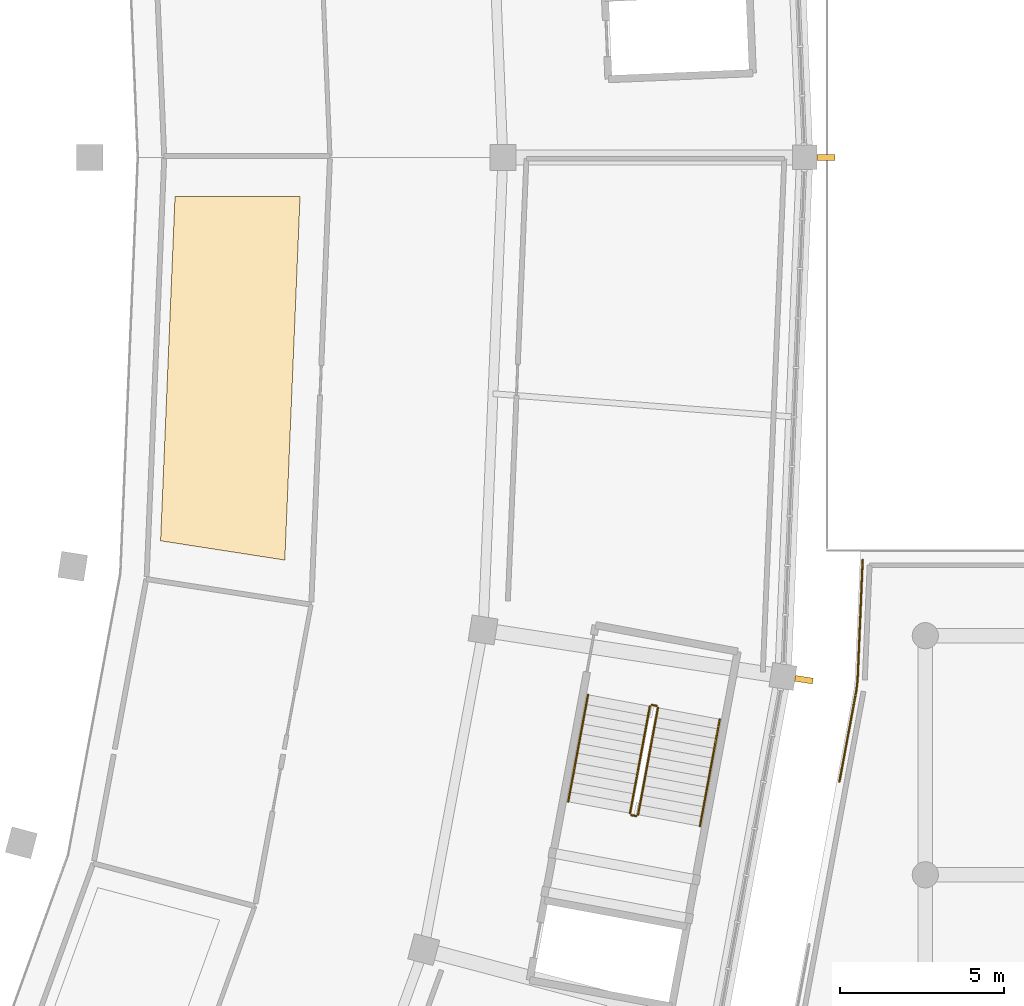
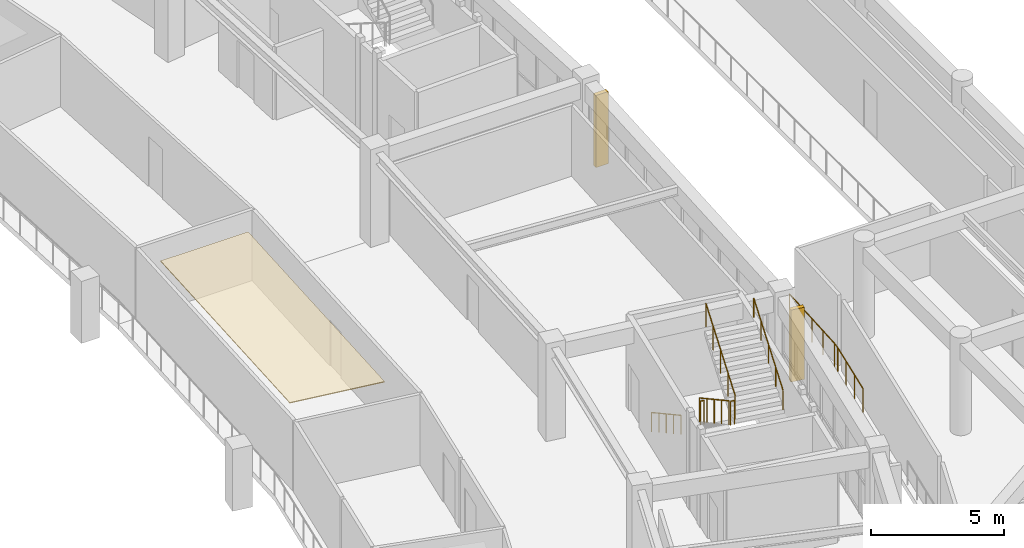
# One storey, part 128 of 141: 7 railings, 2 shading devices, 1 covering.
"""IFC4 building model written with IfcOpenShell, lengths in metres."""

from ifc_helpers import new_model, si_unit, direction, frame, origin, origin_2d, place, context, subcontext, project, spatial, polyline, rectangle, circle, outline, extrude, material, layer, layer_set, type_object, element, save


model = new_model("IFC4")

# Units and contexts
model_context = context("Model", 3, precision=1e-05, world=origin(), true_north=direction((0.0, 1.0)))
body_context = subcontext(model_context, "Body", "Model", "MODEL_VIEW")
ifc_project = project(units=[si_unit("LENGTHUNIT", "METRE"), si_unit("AREAUNIT", "SQUARE_METRE"), si_unit("VOLUMEUNIT", "CUBIC_METRE"), si_unit("PLANEANGLEUNIT", "RADIAN"), si_unit("MASSUNIT", "GRAM", prefix="KILO")], contexts=[model_context])

# Site, building, storey
site_placement = place(None, origin())
site = spatial("IfcSite", under=ifc_project, at=site_placement, CompositionType="ELEMENT")
building_placement = place(site_placement, origin())
building = spatial("IfcBuilding", under=site, at=building_placement, Name="Mphavela Belvedere Stadium", CompositionType="ELEMENT")
storey_placement = place(building_placement, frame((0.0, 0.0, 14.699951171875)))
storey = spatial("IfcBuildingStorey", under=building, at=storey_placement, Name="L03", CompositionType="ELEMENT", Elevation=14.699951171875)

# Covering
ifc_material_1 = material(Name="Perforated acoustic mineral ceiling tile")
ifc_layer = layer(ifc_material_1, 0.0400390625)
ifc_layer_set = layer_set([ifc_layer], Name="Perforated acoustic mineral ceiling tile")
covering_type = type_object("IfcCoveringType", Name="COV-CEILING-ACOUSTIC", PredefinedType="CEILING", material=ifc_layer_set)
covering_placement = place(storey_placement, frame((0.0, 0.0, 3.199951171875)))
element("IfcCovering", 1, at=covering_placement, inside=storey, type_object=covering_type, Name="Concourse acoustic ceiling L03-48", PredefinedType="CEILING", context=body_context, shape_type="SweptSolid", body=[
    extrude(outline(polyline([(198.154296875, 75.29638671875), (198.59521484375, 85.8134765625), (202.4130859375, 85.8134765625), (201.947509765625, 74.708251953125), (198.154296875, 75.29638671875)])), origin(), (0.0, 0.0, 1.0), 0.0400390625),
])

# Railings
ifc_material_2 = material(Name="Bronze and laminated glass stadium balustrade", Category="glass")
railing_type_1 = type_object("IfcRailingType", Name="RAL-BALUSTRADE-1120", PredefinedType="BALUSTRADE", material=ifc_material_2)
railing_1_placement = place(storey_placement, frame((218.87841796875, 67.946533203125, 0.0)))
element("IfcRailing", 2, at=railing_1_placement, inside=storey, type_object=railing_type_1, Name="Peristyle wing gallery edge balustrade L03-61", PredefinedType="BALUSTRADE", context=body_context, shape_type="SweptSolid", body=[
    extrude(circle(Radius=0.02392578125, at=origin_2d()), frame((0.0, 0.0, 1.09619140625), z_axis=(0.182689544832, 0.983170651621, 0.0), x_axis=(-0.983170651621, 0.182689544832, 0.0)), (0.0, 0.0, 1.0), 2.83984375),
    extrude(circle(Radius=0.02392578125, at=origin_2d()), frame((0.518798828125, 2.7919921875, 1.09619140625), z_axis=(0.113134174083, 0.993579719325, 0.0), x_axis=(-0.993579719325, 0.113134174083, 0.0)), (0.0, 0.0, 1.0), 0.317138671875),
    extrude(circle(Radius=0.02392578125, at=origin_2d()), frame((0.5546875, 3.107177734375, 1.09619140625), z_axis=(0.041915584211, 0.999121155716, 0.0), x_axis=(-0.999121155716, 0.041915584211, 0.0)), (0.0, 0.0, 1.0), 3.66943359375),
    extrude(circle(Radius=0.02099609375, at=origin_2d()), origin(), (0.0, 0.0, 1.0), 1.072021484375),
    extrude(circle(Radius=0.02099609375, at=origin_2d()), frame((0.1728515625, 0.9306640625, 0.0)), (0.0, 0.0, 1.0), 1.072021484375),
    extrude(circle(Radius=0.02099609375, at=origin_2d()), frame((0.345947265625, 1.861328125, 0.0)), (0.0, 0.0, 1.0), 1.072021484375),
    extrude(circle(Radius=0.02099609375, at=origin_2d()), frame((0.518798828125, 2.7919921875, 0.0)), (0.0, 0.0, 1.0), 1.072021484375),
    extrude(circle(Radius=0.02099609375, at=origin_2d()), frame((0.5546875, 3.107177734375, 0.0)), (0.0, 0.0, 1.0), 1.072021484375),
    extrude(circle(Radius=0.02099609375, at=origin_2d()), frame((0.59326171875, 4.023681640625, 0.0)), (0.0, 0.0, 1.0), 1.072021484375),
    extrude(circle(Radius=0.02099609375, at=origin_2d()), frame((0.631591796875, 4.9404296875, 0.0)), (0.0, 0.0, 1.0), 1.072021484375),
    extrude(circle(Radius=0.02099609375, at=origin_2d()), frame((0.669921875, 5.85693359375, 0.0)), (0.0, 0.0, 1.0), 1.072021484375),
    extrude(circle(Radius=0.02099609375, at=origin_2d()), frame((0.70849609375, 6.7734375, 0.0)), (0.0, 0.0, 1.0), 1.072021484375),
])
ifc_material_3 = material(Name="Painted galvanised steel stair guardrail", Category="steel")
railing_type_2 = type_object("IfcRailingType", Name="RAL-GUARD-1120", PredefinedType="GUARDRAIL", material=ifc_material_3)
railing_2_placement = place(storey_placement, frame((213.092041015625, 70.24609375, 0.1875)))
element("IfcRailing", 3, at=railing_2_placement, inside=storey, type_object=railing_type_2, Name="L03 ST-C12 stair guard 1", PredefinedType="GUARDRAIL", context=body_context, shape_type="SweptSolid", body=[
    extrude(circle(Radius=0.02392578125, at=origin_2d()), frame((0.0, 0.0, 1.09619140625), z_axis=(-0.155095634283, -0.835293637457, 0.527475007418), x_axis=(0.983195143855, -0.182557687049, 0.0)), (0.0, 0.0, 1.0), 3.91015625),
    extrude(circle(Radius=0.02099609375, at=origin_2d()), origin(), (0.0, 0.0, 1.0), 1.072021484375),
    extrude(circle(Radius=0.02099609375, at=origin_2d()), frame((-0.151611328125, -0.81640625, 0.515625)), (0.0, 0.0, 1.0), 1.072021484375),
    extrude(circle(Radius=0.02099609375, at=origin_2d()), frame((-0.30322265625, -1.633056640625, 1.03125)), (0.0, 0.0, 1.0), 1.072021484375),
    extrude(circle(Radius=0.02099609375, at=origin_2d()), frame((-0.454833984375, -2.44970703125, 1.546875)), (0.0, 0.0, 1.0), 1.072021484375),
    extrude(circle(Radius=0.02099609375, at=origin_2d()), frame((-0.6064453125, -3.26611328125, 2.0625)), (0.0, 0.0, 1.0), 1.072021484375),
])
railing_3_placement = place(storey_placement, frame((212.525634765625, 66.921630859375, 2.25)))
element("IfcRailing", 4, at=railing_3_placement, inside=storey, type_object=railing_type_2, Name="L03 ST-C12 stair guard 2", PredefinedType="GUARDRAIL", context=body_context, shape_type="SweptSolid", body=[
    extrude(circle(Radius=0.02392578125, at=origin_2d()), frame((0.0, 0.0, 1.09619140625), z_axis=(0.983238797529, -0.182322426032, 0.0), x_axis=(0.182322426032, 0.983238797529, 0.0)), (0.0, 0.0, 1.0), 0.14990234375),
    extrude(circle(Radius=0.02099609375, at=origin_2d()), origin(), (0.0, 0.0, 1.0), 1.072021484375),
    extrude(circle(Radius=0.02099609375, at=origin_2d()), frame((0.1474609375, -0.02734375, 0.0)), (0.0, 0.0, 1.0), 1.072021484375),
])
railing_4_placement = place(storey_placement, frame((212.7314453125, 66.934326171875, 2.4375)))
element("IfcRailing", 5, at=railing_4_placement, inside=storey, type_object=railing_type_2, Name="L03 ST-C12 stair guard 3", PredefinedType="GUARDRAIL", context=body_context, shape_type="SweptSolid", body=[
    extrude(circle(Radius=0.02392578125, at=origin_2d()), frame((0.0, 0.0, 1.09619140625), z_axis=(0.155095634283, 0.835293637457, 0.527475007418), x_axis=(-0.983195143855, 0.182557687049, 0.0)), (0.0, 0.0, 1.0), 3.91015625),
    extrude(circle(Radius=0.02099609375, at=origin_2d()), origin(), (0.0, 0.0, 1.0), 1.072021484375),
    extrude(circle(Radius=0.02099609375, at=origin_2d()), frame((0.151611328125, 0.81640625, 0.515625)), (0.0, 0.0, 1.0), 1.072021484375),
    extrude(circle(Radius=0.02099609375, at=origin_2d()), frame((0.30322265625, 1.633056640625, 1.03125)), (0.0, 0.0, 1.0), 1.072021484375),
    extrude(circle(Radius=0.02099609375, at=origin_2d()), frame((0.454833984375, 2.44970703125, 1.546875)), (0.0, 0.0, 1.0), 1.072021484375),
    extrude(circle(Radius=0.02099609375, at=origin_2d()), frame((0.6064453125, 3.26611328125, 2.0625)), (0.0, 0.0, 1.0), 1.072021484375),
])
railing_5_placement = place(storey_placement, frame((213.150390625, 70.2861328125, 0.0)))
element("IfcRailing", 6, at=railing_5_placement, inside=storey, type_object=railing_type_2, Name="L03 ST-C12 stair guard 4", PredefinedType="GUARDRAIL", context=body_context, shape_type="SweptSolid", body=[
    extrude(circle(Radius=0.02392578125, at=origin_2d()), frame((0.0, 0.0, 1.09619140625), z_axis=(0.983238797529, -0.182322426032, 0.0), x_axis=(0.182322426032, 0.983238797529, 0.0)), (0.0, 0.0, 1.0), 0.14990234375),
    extrude(circle(Radius=0.02099609375, at=origin_2d()), origin(), (0.0, 0.0, 1.0), 1.072021484375),
    extrude(circle(Radius=0.02099609375, at=origin_2d()), frame((0.1474609375, -0.02734375, 0.0)), (0.0, 0.0, 1.0), 1.072021484375),
])
ifc_material_4 = material(Name="Brushed stainless steel tubular handrail", Category="steel")
railing_type_3 = type_object("IfcRailingType", Name="RAL-HANDRAIL-900", PredefinedType="HANDRAIL", material=ifc_material_4)
railing_6_placement = place(storey_placement, frame((211.204345703125, 70.5966796875, 0.1875)))
element("IfcRailing", 7, at=railing_6_placement, inside=storey, type_object=railing_type_3, Name="L03 ST-C12 stair handrail 1", PredefinedType="HANDRAIL", context=body_context, shape_type="SweptSolid", body=[
    extrude(circle(Radius=0.02392578125, at=origin_2d()), frame((0.0, 0.0, 0.8759765625), z_axis=(-0.155095634283, -0.835293637457, 0.527475007418), x_axis=(0.983195143855, -0.182557687049, 0.0)), (0.0, 0.0, 1.0), 3.91015625),
    extrude(circle(Radius=0.02099609375, at=origin_2d()), origin(), (0.0, 0.0, 1.0), 0.851806640625),
    extrude(circle(Radius=0.02099609375, at=origin_2d()), frame((-0.151611328125, -0.81640625, 0.515625)), (0.0, 0.0, 1.0), 0.851806640625),
    extrude(circle(Radius=0.02099609375, at=origin_2d()), frame((-0.30322265625, -1.633056640625, 1.03125)), (0.0, 0.0, 1.0), 0.851806640625),
    extrude(circle(Radius=0.02099609375, at=origin_2d()), frame((-0.454833984375, -2.44970703125, 1.546875)), (0.0, 0.0, 1.0), 0.851806640625),
    extrude(circle(Radius=0.02099609375, at=origin_2d()), frame((-0.6064453125, -3.26611328125, 2.0625)), (0.0, 0.0, 1.0), 0.851806640625),
])
railing_7_placement = place(storey_placement, frame((214.619140625, 66.583740234375, 2.4375)))
element("IfcRailing", 8, at=railing_7_placement, inside=storey, type_object=railing_type_3, Name="L03 ST-C12 stair handrail 2", PredefinedType="HANDRAIL", context=body_context, shape_type="SweptSolid", body=[
    extrude(circle(Radius=0.02392578125, at=origin_2d()), frame((0.0, 0.0, 0.8759765625), z_axis=(0.155087545765, 0.835312509979, 0.52744749864), x_axis=(-0.983197592928, 0.182544496661, 0.0)), (0.0, 0.0, 1.0), 3.910400390625),
    extrude(circle(Radius=0.02099609375, at=origin_2d()), origin(), (0.0, 0.0, 1.0), 0.851806640625),
    extrude(circle(Radius=0.02099609375, at=origin_2d()), frame((0.151611328125, 0.816650390625, 0.515625)), (0.0, 0.0, 1.0), 0.851806640625),
    extrude(circle(Radius=0.02099609375, at=origin_2d()), frame((0.30322265625, 1.63330078125, 1.03125)), (0.0, 0.0, 1.0), 0.851806640625),
    extrude(circle(Radius=0.02099609375, at=origin_2d()), frame((0.454833984375, 2.44970703125, 1.546875)), (0.0, 0.0, 1.0), 0.851806640625),
    extrude(circle(Radius=0.02099609375, at=origin_2d()), frame((0.6064453125, 3.266357421875, 2.0625)), (0.0, 0.0, 1.0), 0.851806640625),
])

# Shading devices
ifc_material_5 = material(Name="Honed limestone and bronze vertical brise-soleil fin", Category="masonry")
shading_device_type = type_object("IfcShadingDeviceType", Name="SHD-SOLAR-FIN", PredefinedType="USERDEFINED", material=ifc_material_5)
for number, where, z_axis, x_axis, name in (
    (9, (218.468017578125, 87.0, 0.0), (0.0, 0.0, 1.0), (1.0, 0.0, 0.0), "Classical vertical solar brise-soleil fin L03-01"),
    (10, (217.795654296875, 71.0556640625, 0.0), (0.0, 0.0, 1.0), (0.98817491911, -0.153330783737, 0.0), "Classical vertical solar brise-soleil fin L03-48"),
):
    element("IfcShadingDevice", number, at=place(storey_placement, frame(where, z_axis=z_axis, x_axis=x_axis)), inside=storey, type_object=shading_device_type, Name=name, ObjectType="SOLAR FIN", PredefinedType="USERDEFINED", context=body_context, shape_type="SweptSolid", body=[
        extrude(rectangle(XDim=0.550048828125, YDim=0.179931640625, at=origin_2d()), origin(), (0.0, 0.0, 1.0), 3.320068359375),
    ])

save(model, "model.ifc")
